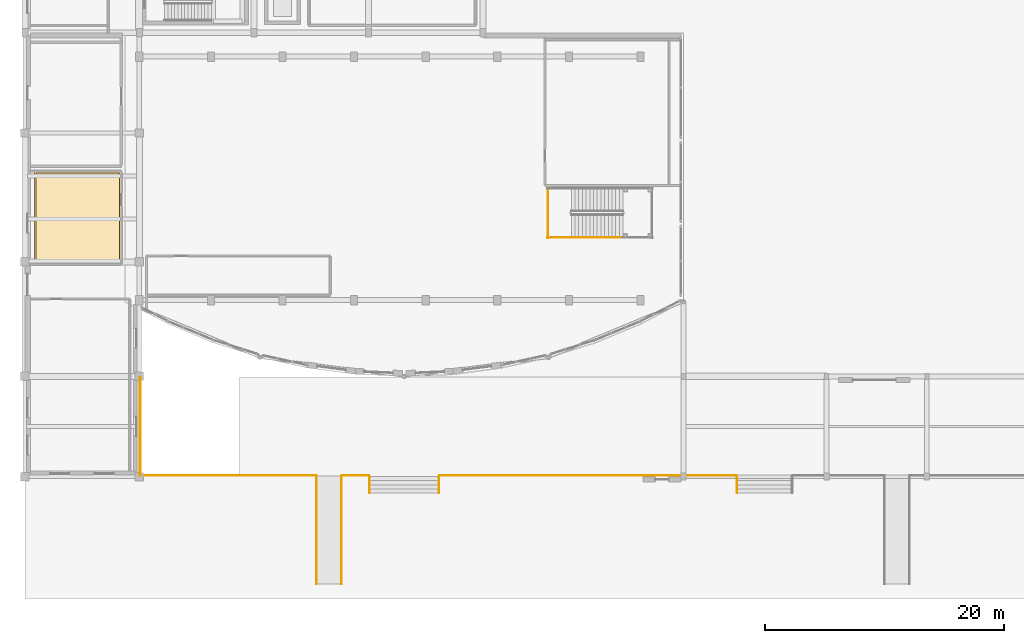
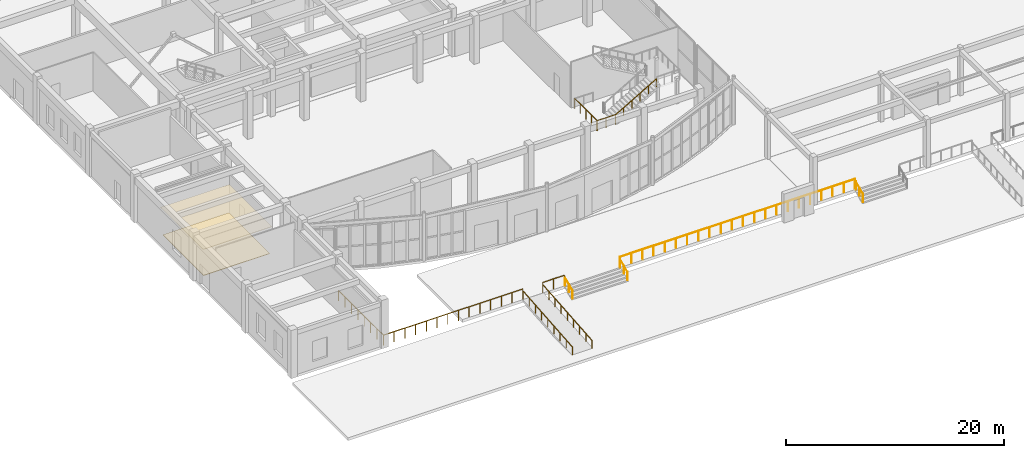
# One storey, part 83 of 98: 12 railings, 2 coverings.
"""IFC4 building model written with IfcOpenShell, lengths in metres."""

from ifc_helpers import new_model, si_unit, direction, frame, origin, origin_2d, place, context, subcontext, project, spatial, polyline, circle, outline, extrude, material, layer, layer_set, type_object, element, save


model = new_model("IFC4")

# Units and contexts
model_context = context("Model", 3, precision=1e-05, world=origin(), true_north=direction((0.0, 1.0)))
body_context = subcontext(model_context, "Body", "Model", "MODEL_VIEW")
ifc_project = project(units=[si_unit("LENGTHUNIT", "METRE"), si_unit("AREAUNIT", "SQUARE_METRE"), si_unit("VOLUMEUNIT", "CUBIC_METRE"), si_unit("PLANEANGLEUNIT", "RADIAN"), si_unit("MASSUNIT", "GRAM", prefix="KILO")], contexts=[model_context])

# Site, building, storey
site_placement = place(None, origin())
site = spatial("IfcSite", under=ifc_project, at=site_placement, CompositionType="ELEMENT")
building_placement = place(site_placement, origin())
building = spatial("IfcBuilding", under=site, at=building_placement, Name="Tarnavel Promenade Courthouse", CompositionType="ELEMENT")
storey_placement = place(building_placement, origin())
storey = spatial("IfcBuildingStorey", under=building, at=storey_placement, Name="L01", CompositionType="ELEMENT", Elevation=0.0)

# Railings
ifc_material_1 = material(Name="Brushed Bronze Tubular Stair Handrail")
railing_type_1 = type_object("IfcRailingType", Name="Brushed Bronze Tubular Stair Handrail (RL-HND-0900)", PredefinedType="HANDRAIL", material=ifc_material_1)
railing_1_placement = place(storey_placement, frame((45.800048828125, 20.050048828125, 0.179931640625)))
element("IfcRailing", 1, at=railing_1_placement, inside=storey, type_object=railing_type_1, Name="L01 ST-09 stair handrail 1", PredefinedType="HANDRAIL", context=body_context, shape_type="SweptSolid", body=[
    extrude(circle(Radius=0.02392578125, at=origin_2d()), frame((0.0, 0.0, 0.8759765625), z_axis=(0.864779406007, 0.0, 0.502151948065), x_axis=(0.0, 1.0, 0.0)), (0.0, 0.0, 1.0), 5.0185546875),
    extrude(circle(Radius=0.02099609375, at=origin_2d()), origin(), (0.0, 0.0, 1.0), 0.851806640625),
    extrude(circle(Radius=0.02099609375, at=origin_2d()), frame((0.867919921875, 0.0, 0.50390625)), (0.0, 0.0, 1.0), 0.851806640625),
    extrude(circle(Radius=0.02099609375, at=origin_2d()), frame((1.73583984375, 0.0, 1.008056640625)), (0.0, 0.0, 1.0), 0.851806640625),
    extrude(circle(Radius=0.02099609375, at=origin_2d()), frame((2.60400390625, 0.0, 1.511962890625)), (0.0, 0.0, 1.0), 0.851806640625),
    extrude(circle(Radius=0.02099609375, at=origin_2d()), frame((3.471923828125, 0.0, 2.01611328125)), (0.0, 0.0, 1.0), 0.851806640625),
    extrude(circle(Radius=0.02099609375, at=origin_2d()), frame((4.33984375, 0.0, 2.52001953125)), (0.0, 0.0, 1.0), 0.851806640625),
])
ifc_material_2 = material(Name="Carved Limestone and Bronze Terrace Balustrade", Category="masonry")
railing_type_2 = type_object("IfcRailingType", Name="Carved Limestone and Bronze Terrace Balustrade (RL-BAL-1150)", PredefinedType="BALUSTRADE", material=ifc_material_2)
railing_2_placement = place(storey_placement, frame((9.679931640625, 0.080078125, 0.0)))
element("IfcRailing", 2, at=railing_2_placement, inside=storey, type_object=railing_type_2, Name="South Promenade Plinth Edge Balustrade 01", PredefinedType="BALUSTRADE", context=body_context, shape_type="SweptSolid", body=[
    extrude(circle(Radius=0.02392578125, at=origin_2d()), frame((0.0, 0.0, 1.1259765625), z_axis=(1.0, 0.0, 0.0), x_axis=(0.0, 1.0, 0.0)), (0.0, 0.0, 1.0), 14.760009765625),
    extrude(circle(Radius=0.02099609375, at=origin_2d()), origin(), (0.0, 0.0, 1.0), 1.101806640625),
    extrude(circle(Radius=0.02099609375, at=origin_2d()), frame((1.135498046875, 0.0, 0.0)), (0.0, 0.0, 1.0), 1.101806640625),
    extrude(circle(Radius=0.02099609375, at=origin_2d()), frame((2.270751953125, 0.0, 0.0)), (0.0, 0.0, 1.0), 1.101806640625),
    extrude(circle(Radius=0.02099609375, at=origin_2d()), frame((3.40625, 0.0, 0.0)), (0.0, 0.0, 1.0), 1.101806640625),
    extrude(circle(Radius=0.02099609375, at=origin_2d()), frame((4.54150390625, 0.0, 0.0)), (0.0, 0.0, 1.0), 1.101806640625),
    extrude(circle(Radius=0.02099609375, at=origin_2d()), frame((5.677001953125, 0.0, 0.0)), (0.0, 0.0, 1.0), 1.101806640625),
    extrude(circle(Radius=0.02099609375, at=origin_2d()), frame((6.812255859375, 0.0, 0.0)), (0.0, 0.0, 1.0), 1.101806640625),
    extrude(circle(Radius=0.02099609375, at=origin_2d()), frame((7.94775390625, 0.0, 0.0)), (0.0, 0.0, 1.0), 1.101806640625),
    extrude(circle(Radius=0.02099609375, at=origin_2d()), frame((9.0830078125, 0.0, 0.0)), (0.0, 0.0, 1.0), 1.101806640625),
    extrude(circle(Radius=0.02099609375, at=origin_2d()), frame((10.218505859375, 0.0, 0.0)), (0.0, 0.0, 1.0), 1.101806640625),
    extrude(circle(Radius=0.02099609375, at=origin_2d()), frame((11.353759765625, 0.0, 0.0)), (0.0, 0.0, 1.0), 1.101806640625),
    extrude(circle(Radius=0.02099609375, at=origin_2d()), frame((12.4892578125, 0.0, 0.0)), (0.0, 0.0, 1.0), 1.101806640625),
    extrude(circle(Radius=0.02099609375, at=origin_2d()), frame((13.62451171875, 0.0, 0.0)), (0.0, 0.0, 1.0), 1.101806640625),
    extrude(circle(Radius=0.02099609375, at=origin_2d()), frame((14.760009765625, 0.0, 0.0)), (0.0, 0.0, 1.0), 1.101806640625),
])
railing_3_placement = place(storey_placement, frame((26.56005859375, 0.080078125, 0.0)))
element("IfcRailing", 3, at=railing_3_placement, inside=storey, type_object=railing_type_2, Name="South Promenade Plinth Edge Balustrade 02", PredefinedType="BALUSTRADE", context=body_context, shape_type="SweptSolid", body=[
    extrude(circle(Radius=0.02392578125, at=origin_2d()), frame((0.0, 0.0, 1.1259765625), z_axis=(1.0, 0.0, 0.0), x_axis=(0.0, 1.0, 0.0)), (0.0, 0.0, 1.0), 2.280029296875),
    extrude(circle(Radius=0.02099609375, at=origin_2d()), origin(), (0.0, 0.0, 1.0), 1.101806640625),
    extrude(circle(Radius=0.02099609375, at=origin_2d()), frame((1.14013671875, 0.0, 0.0)), (0.0, 0.0, 1.0), 1.101806640625),
    extrude(circle(Radius=0.02099609375, at=origin_2d()), frame((2.280029296875, 0.0, 0.0)), (0.0, 0.0, 1.0), 1.101806640625),
])
railing_4_placement = place(storey_placement, frame((34.760009765625, 0.080078125, 0.0)))
element("IfcRailing", 4, at=railing_4_placement, inside=storey, type_object=railing_type_2, Name="South Promenade Plinth Edge Balustrade 03", PredefinedType="BALUSTRADE", context=body_context, shape_type="SweptSolid", body=[
    extrude(circle(Radius=0.02392578125, at=origin_2d()), frame((0.0, 0.0, 1.1259765625), z_axis=(1.0, 0.0, 0.0), x_axis=(0.0, 1.0, 0.0)), (0.0, 0.0, 1.0), 24.8798828125),
    extrude(circle(Radius=0.02099609375, at=origin_2d()), origin(), (0.0, 0.0, 1.0), 1.101806640625),
    extrude(circle(Radius=0.02099609375, at=origin_2d()), frame((1.184814453125, 0.0, 0.0)), (0.0, 0.0, 1.0), 1.101806640625),
    extrude(circle(Radius=0.02099609375, at=origin_2d()), frame((2.36962890625, 0.0, 0.0)), (0.0, 0.0, 1.0), 1.101806640625),
    extrude(circle(Radius=0.02099609375, at=origin_2d()), frame((3.55419921875, 0.0, 0.0)), (0.0, 0.0, 1.0), 1.101806640625),
    extrude(circle(Radius=0.02099609375, at=origin_2d()), frame((4.739013671875, 0.0, 0.0)), (0.0, 0.0, 1.0), 1.101806640625),
    extrude(circle(Radius=0.02099609375, at=origin_2d()), frame((5.923828125, 0.0, 0.0)), (0.0, 0.0, 1.0), 1.101806640625),
    extrude(circle(Radius=0.02099609375, at=origin_2d()), frame((7.108642578125, 0.0, 0.0)), (0.0, 0.0, 1.0), 1.101806640625),
    extrude(circle(Radius=0.02099609375, at=origin_2d()), frame((8.293212890625, 0.0, 0.0)), (0.0, 0.0, 1.0), 1.101806640625),
    extrude(circle(Radius=0.02099609375, at=origin_2d()), frame((9.47802734375, 0.0, 0.0)), (0.0, 0.0, 1.0), 1.101806640625),
    extrude(circle(Radius=0.02099609375, at=origin_2d()), frame((10.662841796875, 0.0, 0.0)), (0.0, 0.0, 1.0), 1.101806640625),
    extrude(circle(Radius=0.02099609375, at=origin_2d()), frame((11.84765625, 0.0, 0.0)), (0.0, 0.0, 1.0), 1.101806640625),
    extrude(circle(Radius=0.02099609375, at=origin_2d()), frame((13.0322265625, 0.0, 0.0)), (0.0, 0.0, 1.0), 1.101806640625),
    extrude(circle(Radius=0.02099609375, at=origin_2d()), frame((14.217041015625, 0.0, 0.0)), (0.0, 0.0, 1.0), 1.101806640625),
    extrude(circle(Radius=0.02099609375, at=origin_2d()), frame((15.40185546875, 0.0, 0.0)), (0.0, 0.0, 1.0), 1.101806640625),
    extrude(circle(Radius=0.02099609375, at=origin_2d()), frame((16.586669921875, 0.0, 0.0)), (0.0, 0.0, 1.0), 1.101806640625),
    extrude(circle(Radius=0.02099609375, at=origin_2d()), frame((17.771240234375, 0.0, 0.0)), (0.0, 0.0, 1.0), 1.101806640625),
    extrude(circle(Radius=0.02099609375, at=origin_2d()), frame((18.9560546875, 0.0, 0.0)), (0.0, 0.0, 1.0), 1.101806640625),
    extrude(circle(Radius=0.02099609375, at=origin_2d()), frame((20.140869140625, 0.0, 0.0)), (0.0, 0.0, 1.0), 1.101806640625),
    extrude(circle(Radius=0.02099609375, at=origin_2d()), frame((21.32568359375, 0.0, 0.0)), (0.0, 0.0, 1.0), 1.101806640625),
    extrude(circle(Radius=0.02099609375, at=origin_2d()), frame((22.51025390625, 0.0, 0.0)), (0.0, 0.0, 1.0), 1.101806640625),
    extrude(circle(Radius=0.02099609375, at=origin_2d()), frame((23.695068359375, 0.0, 0.0)), (0.0, 0.0, 1.0), 1.101806640625),
    extrude(circle(Radius=0.02099609375, at=origin_2d()), frame((24.8798828125, 0.0, 0.0)), (0.0, 0.0, 1.0), 1.101806640625),
])
railing_5_placement = place(storey_placement, frame((9.679931640625, 0.080078125, 0.0)))
element("IfcRailing", 5, at=railing_5_placement, inside=storey, type_object=railing_type_2, Name="Main Portal Forecourt West Edge Balustrade", PredefinedType="BALUSTRADE", context=body_context, shape_type="SweptSolid", body=[
    extrude(circle(Radius=0.02392578125, at=origin_2d()), frame((0.0, 0.0, 1.1259765625), z_axis=(0.0, 1.0, 0.0), x_axis=(-1.0, 0.0, 0.0)), (0.0, 0.0, 1.0), 8.219970703125),
    extrude(circle(Radius=0.02099609375, at=origin_2d()), origin(), (0.0, 0.0, 1.0), 1.101806640625),
    extrude(circle(Radius=0.02099609375, at=origin_2d()), frame((0.0, 1.17431640625, 0.0)), (0.0, 0.0, 1.0), 1.101806640625),
    extrude(circle(Radius=0.02099609375, at=origin_2d()), frame((0.0, 2.3486328125, 0.0)), (0.0, 0.0, 1.0), 1.101806640625),
    extrude(circle(Radius=0.02099609375, at=origin_2d()), frame((0.0, 3.52294921875, 0.0)), (0.0, 0.0, 1.0), 1.101806640625),
    extrude(circle(Radius=0.02099609375, at=origin_2d()), frame((0.0, 4.697021484375, 0.0)), (0.0, 0.0, 1.0), 1.101806640625),
    extrude(circle(Radius=0.02099609375, at=origin_2d()), frame((0.0, 5.871337890625, 0.0)), (0.0, 0.0, 1.0), 1.101806640625),
    extrude(circle(Radius=0.02099609375, at=origin_2d()), frame((0.0, 7.045654296875, 0.0)), (0.0, 0.0, 1.0), 1.101806640625),
    extrude(circle(Radius=0.02099609375, at=origin_2d()), frame((0.0, 8.219970703125, 0.0)), (0.0, 0.0, 1.0), 1.101806640625),
])

# Covering
ifc_material_3 = material(Name="Flamed Subarctic Granite Vestibule & Plinth Flooring", Category="masonry")
ifc_layer_1 = layer(ifc_material_3, 0.050048828125)
ifc_layer_set_1 = layer_set([ifc_layer_1], Name="Flamed Subarctic Granite Vestibule & Plinth Flooring")
covering_type_1 = type_object("IfcCoveringType", Name="Flamed Subarctic Granite Vestibule & Plinth Flooring (COV-FLR-GRN-50)", PredefinedType="FLOORING", material=ifc_layer_set_1)
covering_1_placement = place(storey_placement, origin())
element("IfcCovering", 6, at=covering_1_placement, inside=storey, type_object=covering_type_1, Name="L01 Security Screening and Visitor Reception Architectural Flooring 0004", PredefinedType="FLOORING", context=body_context, shape_type="SweptSolid", body=[
    extrude(outline(polyline([(0.949951171875, 17.949951171875), (7.949951171875, 17.949951171875), (7.949951171875, 25.449951171875), (0.949951171875, 25.449951171875), (0.949951171875, 17.949951171875)])), origin(), (0.0, 0.0, 1.0), 0.050048828125),
])

# Railings
ifc_material_4 = material(Name="Heated Brushed Bronze Exterior Ramp & Plinth Handrail")
railing_type_3 = type_object("IfcRailingType", Name="Heated Brushed Bronze Exterior Ramp & Plinth Handrail (RL-HND-0920)", PredefinedType="HANDRAIL", material=ifc_material_4)
for number, where, name in (
    (7, (28.8798828125, -1.360107421875, -0.60009765625), "ST-11 Heated Bronze Handrail W"),
    (8, (34.719970703125, -1.360107421875, -0.60009765625), "ST-11 Heated Bronze Handrail E"),
    (9, (59.679931640625, -1.360107421875, -0.60009765625), "ST-12 Heated Bronze Handrail W"),
):
    element("IfcRailing", number, at=place(storey_placement, frame(where)), inside=storey, type_object=railing_type_3, Name=name, PredefinedType="HANDRAIL", context=body_context, shape_type="SweptSolid", body=[
        extrude(circle(Radius=0.02392578125, at=origin_2d()), frame((0.0, 0.0, 0.89599609375), z_axis=(0.0, 0.914905314696, 0.403668508979), x_axis=(-1.0, 0.0, 0.0)), (0.0, 0.0, 1.0), 1.486572265625),
        extrude(circle(Radius=0.02099609375, at=origin_2d()), origin(), (0.0, 0.0, 1.0), 0.871826171875),
        extrude(circle(Radius=0.02099609375, at=origin_2d()), frame((0.0, 0.68017578125, 0.300048828125)), (0.0, 0.0, 1.0), 0.871826171875),
        extrude(circle(Radius=0.02099609375, at=origin_2d()), frame((0.0, 1.360107421875, 0.60009765625)), (0.0, 0.0, 1.0), 0.871826171875),
    ])
for number, where, name in (
    (10, (24.4599609375, -9.0, -0.75), "RMP-01 Heated Bronze Ramp Handrail W"),
    (11, (26.5400390625, -9.0, -0.75), "RMP-01 Heated Bronze Ramp Handrail E"),
):
    element("IfcRailing", number, at=place(storey_placement, frame(where)), inside=storey, type_object=railing_type_3, Name=name, PredefinedType="HANDRAIL", context=body_context, shape_type="SweptSolid", body=[
        extrude(circle(Radius=0.02392578125, at=origin_2d()), frame((0.0, 0.0, 0.89599609375), z_axis=(0.0, 0.996583663068, 0.082589360731), x_axis=(-1.0, 0.0, 0.0)), (0.0, 0.0, 1.0), 9.0810546875),
        extrude(circle(Radius=0.02099609375, at=origin_2d()), origin(), (0.0, 0.0, 1.0), 0.871826171875),
        extrude(circle(Radius=0.02099609375, at=origin_2d()), frame((0.0, 1.13134765625, 0.09375)), (0.0, 0.0, 1.0), 0.871826171875),
        extrude(circle(Radius=0.02099609375, at=origin_2d()), frame((0.0, 2.262451171875, 0.1875)), (0.0, 0.0, 1.0), 0.871826171875),
        extrude(circle(Radius=0.02099609375, at=origin_2d()), frame((0.0, 3.393798828125, 0.28125)), (0.0, 0.0, 1.0), 0.871826171875),
        extrude(circle(Radius=0.02099609375, at=origin_2d()), frame((0.0, 4.52490234375, 0.375)), (0.0, 0.0, 1.0), 0.871826171875),
        extrude(circle(Radius=0.02099609375, at=origin_2d()), frame((0.0, 5.65625, 0.46875)), (0.0, 0.0, 1.0), 0.871826171875),
        extrude(circle(Radius=0.02099609375, at=origin_2d()), frame((0.0, 6.78759765625, 0.5625)), (0.0, 0.0, 1.0), 0.871826171875),
        extrude(circle(Radius=0.02099609375, at=origin_2d()), frame((0.0, 7.918701171875, 0.65625)), (0.0, 0.0, 1.0), 0.871826171875),
        extrude(circle(Radius=0.02099609375, at=origin_2d()), frame((0.0, 9.050048828125, 0.75)), (0.0, 0.0, 1.0), 0.871826171875),
    ])

# Covering
ifc_material_5 = material(Name="Micro-Perforated Acoustic Mineral-Fibre Ceiling")
ifc_layer_2 = layer(ifc_material_5, 0.044921875)
ifc_layer_set_2 = layer_set([ifc_layer_2], Name="Micro-Perforated Acoustic Mineral-Fibre Ceiling")
covering_type_2 = type_object("IfcCoveringType", Name="Micro-Perforated Acoustic Mineral-Fibre Ceiling (COV-CLG-MIN-45)", PredefinedType="CEILING", material=ifc_layer_set_2)
covering_2_placement = place(storey_placement, frame((0.0, 0.0, 3.054931640625)))
element("IfcCovering", 12, at=covering_2_placement, inside=storey, type_object=covering_type_2, Name="L01 Security Screening and Visitor Reception Acoustic Ceiling 0004", PredefinedType="CEILING", context=body_context, shape_type="SweptSolid", body=[
    extrude(outline(polyline([(0.800048828125, 17.800048828125), (8.10009765625, 17.800048828125), (8.10009765625, 25.60009765625), (0.800048828125, 25.60009765625), (0.800048828125, 17.800048828125)])), origin(), (0.0, 0.0, 1.0), 0.045166015625),
])

# Railings
ifc_material_6 = material(Name="Painted Architectural Steel Stair & Atrium Guardrail", Category="steel")
railing_type_4 = type_object("IfcRailingType", Name="Painted Architectural Steel Stair & Atrium Guardrail (RL-GRD-1120)", PredefinedType="GUARDRAIL", material=ifc_material_6)
railing_6_placement = place(storey_placement, frame((43.800048828125, 20.050048828125, 0.0)))
element("IfcRailing", 13, at=railing_6_placement, inside=storey, type_object=railing_type_4, Name="L01 ST-09 stair guard 8", PredefinedType="GUARDRAIL", context=body_context, shape_type="SweptSolid", body=[
    extrude(circle(Radius=0.02392578125, at=origin_2d()), frame((0.0, 0.0, 1.076171875), z_axis=(1.0, 0.0, 0.0), x_axis=(0.0, 1.0, 0.0)), (0.0, 0.0, 1.0), 2.0),
    extrude(circle(Radius=0.02099609375, at=origin_2d()), origin(), (0.0, 0.0, 1.0), 1.052001953125),
    extrude(circle(Radius=0.02099609375, at=origin_2d()), frame((1.0, 0.0, 0.0)), (0.0, 0.0, 1.0), 1.052001953125),
    extrude(circle(Radius=0.02099609375, at=origin_2d()), frame((2.0, 0.0, 0.0)), (0.0, 0.0, 1.0), 1.052001953125),
])
railing_7_placement = place(storey_placement, frame((43.85009765625, 20.0, 0.0)))
element("IfcRailing", 14, at=railing_7_placement, inside=storey, type_object=railing_type_4, Name="L01 ST-09 stair guard 10", PredefinedType="GUARDRAIL", context=body_context, shape_type="SweptSolid", body=[
    extrude(circle(Radius=0.02392578125, at=origin_2d()), frame((0.0, 0.0, 1.076171875), z_axis=(0.0, 1.0, 0.0), x_axis=(-1.0, 0.0, 0.0)), (0.0, 0.0, 1.0), 4.199951171875),
    extrude(circle(Radius=0.02099609375, at=origin_2d()), origin(), (0.0, 0.0, 1.0), 1.052001953125),
    extrude(circle(Radius=0.02099609375, at=origin_2d()), frame((0.0, 1.050048828125, 0.0)), (0.0, 0.0, 1.0), 1.052001953125),
    extrude(circle(Radius=0.02099609375, at=origin_2d()), frame((0.0, 2.10009765625, 0.0)), (0.0, 0.0, 1.0), 1.052001953125),
    extrude(circle(Radius=0.02099609375, at=origin_2d()), frame((0.0, 3.14990234375, 0.0)), (0.0, 0.0, 1.0), 1.052001953125),
    extrude(circle(Radius=0.02099609375, at=origin_2d()), frame((0.0, 4.199951171875, 0.0)), (0.0, 0.0, 1.0), 1.052001953125),
])

save(model, "model.ifc")
